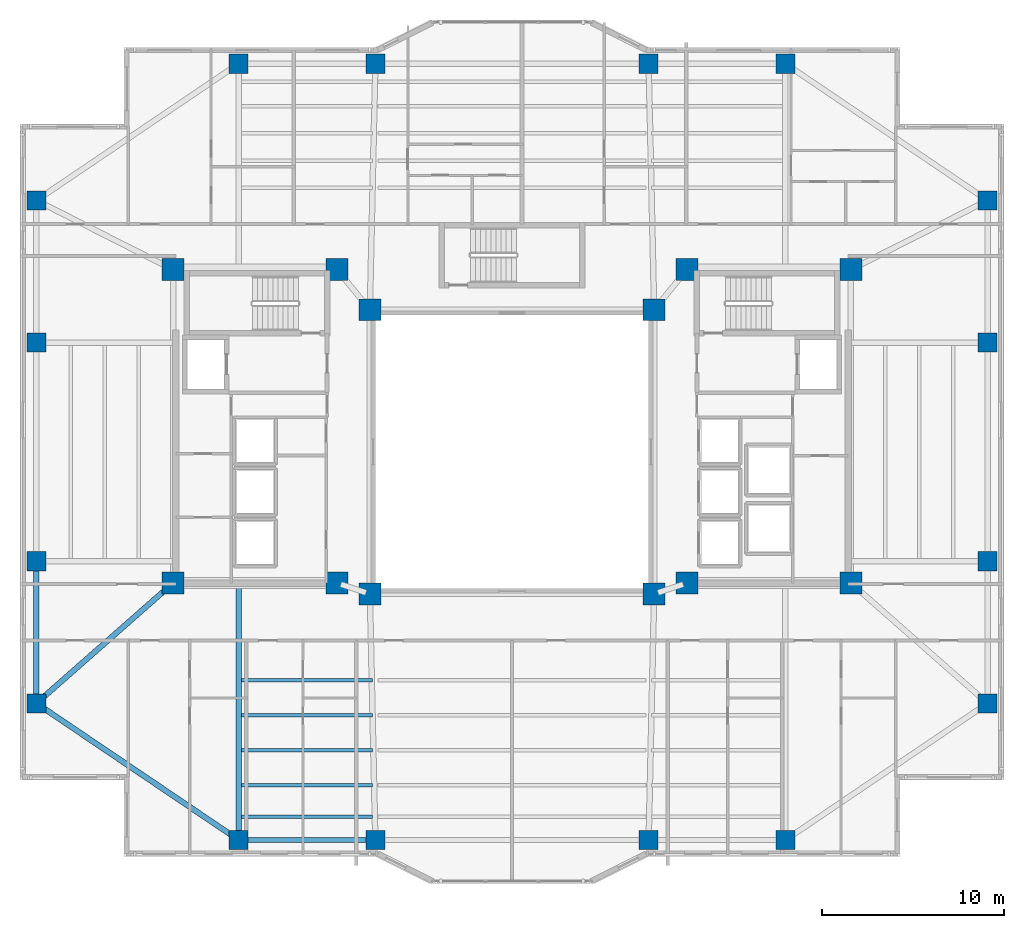
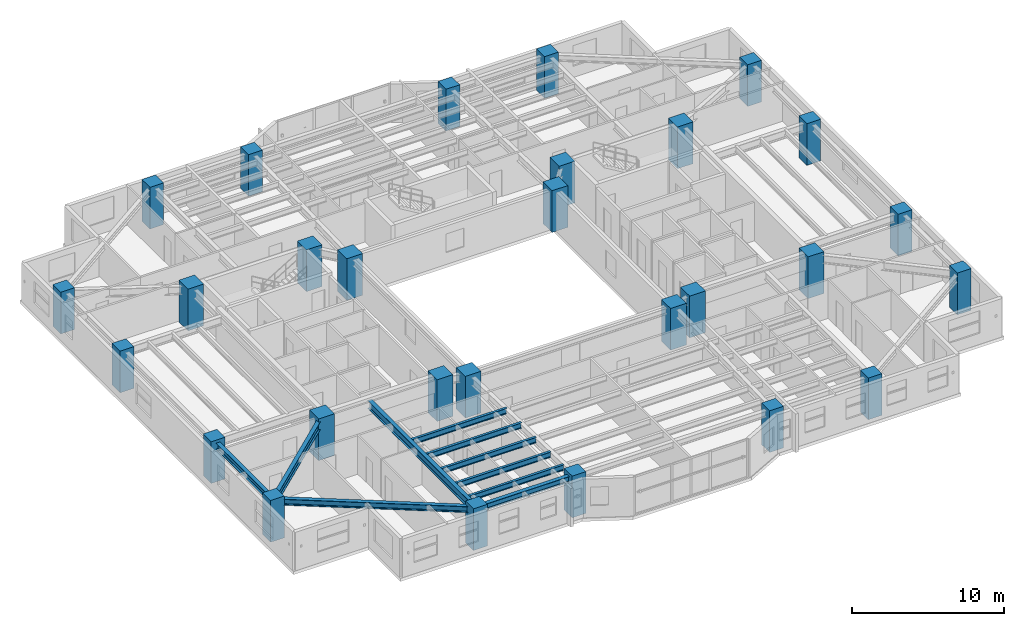
# One storey, part 1 of 18: 28 columns, 10 beams.
"""IFC4 building model written with IfcOpenShell, lengths in metres."""

from ifc_helpers import new_model, si_unit, direction, frame, origin, origin_2d, place, context, subcontext, project, spatial, rectangle, i_section, extrude, material, material_profile, profile_set, type_object, element, save


model = new_model("IFC4")

# Units and contexts
model_context = context("Model", 3, precision=1e-05, world=origin(), true_north=direction((0.0, 1.0)))
body_context = subcontext(model_context, "Body", "Model", "MODEL_VIEW")
ifc_project = project(units=[si_unit("LENGTHUNIT", "METRE"), si_unit("AREAUNIT", "SQUARE_METRE"), si_unit("VOLUMEUNIT", "CUBIC_METRE"), si_unit("PLANEANGLEUNIT", "RADIAN"), si_unit("MASSUNIT", "GRAM", prefix="KILO")], contexts=[model_context])

# Site, building, storey
site_placement = place(None, origin())
site = spatial("IfcSite", under=ifc_project, at=site_placement, CompositionType="ELEMENT")
building_placement = place(site_placement, origin())
building = spatial("IfcBuilding", under=site, at=building_placement, Name="Tarnavaz Court Tower", CompositionType="ELEMENT")
storey_placement = place(building_placement, frame((0.0, 0.0, 101.75)))
storey = spatial("IfcBuildingStorey", under=building, at=storey_placement, Name="L27", CompositionType="ELEMENT", Elevation=101.75)

# Columns
ifc_material_1 = material(Name="Concrete C60/75", Category="concrete")
ifc_material_profile_1 = material_profile(ifc_material_1, rectangle(XDim=1.050048828125, YDim=1.050048828125, at=origin_2d()), Name="RC 1050X1050")
ifc_profile_set_1 = profile_set([ifc_material_profile_1], Name="Concrete C60/75")
column_type_1 = type_object("IfcColumnType", Name="CL-RC1050", PredefinedType="COLUMN", material=ifc_profile_set_1)
for number, where, z_axis, x_axis, name in (
    (1, (-15.0, 21.300048828125, 0.0), (0.0, 0.0, 1.0), (1.0, 0.0, 0.0), "L27 Column PN-1"),
    (2, (-7.5, 21.300048828125, 0.0), (0.0, 0.0, 1.0), (1.0, 0.0, 0.0), "L27 Column PN-2"),
    (3, (7.5, 21.300048828125, 0.0), (0.0, 0.0, 1.0), (1.0, 0.0, 0.0), "L27 Column PN-3"),
    (4, (15.0, 21.300048828125, 0.0), (0.0, 0.0, 1.0), (1.0, 0.0, 0.0), "L27 Column PN-4"),
    (5, (-15.0, -21.300048828125, 0.0), (0.0, 0.0, 1.0), (1.0, 0.0, 0.0), "L27 Column PS-1"),
    (6, (-7.5, -21.300048828125, 0.0), (0.0, 0.0, 1.0), (1.0, 0.0, 0.0), "L27 Column PS-2"),
    (7, (7.5, -21.300048828125, 0.0), (0.0, 0.0, 1.0), (1.0, 0.0, 0.0), "L27 Column PS-3"),
    (8, (15.0, -21.300048828125, 0.0), (0.0, 0.0, 1.0), (1.0, 0.0, 0.0), "L27 Column PS-4"),
    (9, (26.10009765625, -13.800048828125, 0.0), (0.0, 0.0, 1.0), (1.0, 0.0, 0.0), "L27 Column PE-1"),
    (10, (26.10009765625, -6.0, 0.0), (0.0, 0.0, 1.0), (1.0, 0.0, 0.0), "L27 Column PE-2"),
    (11, (26.10009765625, 6.0, 0.0), (0.0, 0.0, 1.0), (1.0, 0.0, 0.0), "L27 Column PE-3"),
    (12, (26.10009765625, 13.800048828125, 0.0), (0.0, 0.0, 1.0), (1.0, 0.0, 0.0), "L27 Column PE-4"),
    (13, (-26.10009765625, -13.800048828125, 0.0), (0.0, 0.0, 1.0), (1.0, 0.0, 0.0), "L27 Column PW-1"),
    (14, (-26.10009765625, -6.0, 0.0), (0.0, 0.0, 1.0), (1.0, 0.0, 0.0), "L27 Column PW-2"),
    (15, (-26.10009765625, 6.0, 0.0), (0.0, 0.0, 1.0), (1.0, 0.0, 0.0), "L27 Column PW-3"),
    (16, (-26.10009765625, 13.800048828125, 0.0), (0.0, 0.0, 1.0), (1.0, 0.0, 0.0), "L27 Column PW-4"),
):
    element("IfcColumn", number, at=place(storey_placement, frame(where, z_axis=z_axis, x_axis=x_axis)), inside=storey, type_object=column_type_1, Name=name, PredefinedType="COLUMN", context=body_context, shape_type="SweptSolid", body=[
        extrude(rectangle(XDim=1.050048828125, YDim=1.050048828125, at=origin_2d()), origin(), (0.0, 0.0, 1.0), 3.35009765625),
    ])
ifc_material_profile_2 = material_profile(ifc_material_1, rectangle(XDim=1.199951171875, YDim=1.199951171875, at=origin_2d()), Name="RC 1200X1200")
ifc_profile_set_2 = profile_set([ifc_material_profile_2], Name="Concrete C60/75")
column_type_2 = type_object("IfcColumnType", Name="CL-RC1200", PredefinedType="COLUMN", material=ifc_profile_set_2)
for number, where, z_axis, x_axis, name in (
    (17, (-7.800048828125, -7.800048828125, 0.0), (0.0, 0.0, 1.0), (1.0, 0.0, 0.0), "L27 Column IW-SW"),
    (18, (7.800048828125, -7.800048828125, 0.0), (0.0, 0.0, 1.0), (1.0, 0.0, 0.0), "L27 Column IW-SE"),
    (19, (-7.800048828125, 7.800048828125, 0.0), (0.0, 0.0, 1.0), (1.0, 0.0, 0.0), "L27 Column IW-NW"),
    (20, (7.800048828125, 7.800048828125, 0.0), (0.0, 0.0, 1.0), (1.0, 0.0, 0.0), "L27 Column IW-NE"),
    (21, (-9.60009765625, -7.199951171875, 0.0), (0.0, 0.0, 1.0), (1.0, 0.0, 0.0), "L27 Column CW-SI"),
    (22, (-9.60009765625, 10.0, 0.0), (0.0, 0.0, 1.0), (1.0, 0.0, 0.0), "L27 Column CW-NI"),
    (23, (9.60009765625, -7.199951171875, 0.0), (0.0, 0.0, 1.0), (1.0, 0.0, 0.0), "L27 Column CE-SI"),
    (24, (9.60009765625, 10.0, 0.0), (0.0, 0.0, 1.0), (1.0, 0.0, 0.0), "L27 Column CE-NI"),
    (25, (-18.60009765625, -7.199951171875, 0.0), (0.0, 0.0, 1.0), (1.0, 0.0, 0.0), "L27 Column CW-SO"),
    (26, (-18.60009765625, 10.0, 0.0), (0.0, 0.0, 1.0), (1.0, 0.0, 0.0), "L27 Column CW-NO"),
    (27, (18.60009765625, -7.199951171875, 0.0), (0.0, 0.0, 1.0), (1.0, 0.0, 0.0), "L27 Column CE-SO"),
    (28, (18.60009765625, 10.0, 0.0), (0.0, 0.0, 1.0), (1.0, 0.0, 0.0), "L27 Column CE-NO"),
):
    element("IfcColumn", number, at=place(storey_placement, frame(where, z_axis=z_axis, x_axis=x_axis)), inside=storey, type_object=column_type_2, Name=name, PredefinedType="COLUMN", context=body_context, shape_type="SweptSolid", body=[
        extrude(rectangle(XDim=1.199951171875, YDim=1.199951171875, at=origin_2d()), origin(), (0.0, 0.0, 1.0), 3.35009765625),
    ])

# Beams
ifc_material_2 = material(Name="Steel S355", Category="steel")
ifc_material_profile_3 = material_profile(ifc_material_2, i_section(OverallWidth=0.300048828125, OverallDepth=0.64990234375, WebThickness=0.01611328125, FlangeThickness=0.031005859375, FilletRadius=0.027099609375, at=origin_2d()), Name="HEB 650")
ifc_profile_set_3 = profile_set([ifc_material_profile_3], Name="Steel S355")
beam_type_1 = type_object("IfcBeamType", Name="BM-G-HEB650", PredefinedType="USERDEFINED", material=ifc_profile_set_3)
beam_1_placement = place(storey_placement, frame((-15.0, -7.239990234375, 2.77490234375), z_axis=(0.0, -1.0, 0.0), x_axis=(1.0, 0.0, 0.0)))
element("IfcBeam", 29, at=beam_1_placement, inside=storey, type_object=beam_type_1, Name="L27 Beam RG-05", ObjectType="GIRDER", PredefinedType="USERDEFINED", context=body_context, shape_type="SweptSolid", body=[
    extrude(i_section(OverallWidth=0.300048828125, OverallDepth=0.64990234375, WebThickness=0.01611328125, FlangeThickness=0.031005859375, FilletRadius=0.027099609375, at=origin_2d()), origin(), (0.0, 0.0, 1.0), 13.840087890625),
])
beam_2_placement = place(storey_placement, frame((-18.76513671875, -7.34521484375, 2.77490234375), z_axis=(-0.750700332035, -0.660642877417, 0.0), x_axis=(0.660642877417, -0.750700332035, 0.0)))
element("IfcBeam", 30, at=beam_2_placement, inside=storey, type_object=beam_type_1, Name="L27 Beam RG-15", ObjectType="GIRDER", PredefinedType="USERDEFINED", context=body_context, shape_type="SweptSolid", body=[
    extrude(i_section(OverallWidth=0.300048828125, OverallDepth=0.64990234375, WebThickness=0.01611328125, FlangeThickness=0.031005859375, FilletRadius=0.027099609375, at=origin_2d()), origin(), (0.0, 0.0, 1.0), 9.550537109375),
])
ifc_material_profile_4 = material_profile(ifc_material_2, i_section(OverallWidth=0.18994140625, OverallDepth=0.449951171875, WebThickness=0.009521484375, FlangeThickness=0.0146484375, FilletRadius=0.02099609375, at=origin_2d()), Name="IPE 450")
ifc_profile_set_4 = profile_set([ifc_material_profile_4], Name="Steel S355")
beam_type_2 = type_object("IfcBeamType", Name="BM-J-IPE450", PredefinedType="JOIST", material=ifc_profile_set_4)
for number, where, z_axis, x_axis, name in (
    (31, (-14.85009765625, -12.52587890625, 2.875), (1.0, 0.0, 0.0), (0.0, 1.0, 0.0), "L27 Beam JS1-1"),
    (32, (-14.85009765625, -14.451904296875, 2.875), (1.0, 0.0, 0.0), (0.0, 1.0, 0.0), "L27 Beam JS2-1"),
    (33, (-14.85009765625, -16.3779296875, 2.875), (1.0, 0.0, 0.0), (0.0, 1.0, 0.0), "L27 Beam JS3-1"),
    (34, (-14.85009765625, -18.303955078125, 2.875), (1.0, 0.0, 0.0), (0.0, 1.0, 0.0), "L27 Beam JS4-1"),
    (35, (-14.85009765625, -20.01611328125, 2.875), (1.0, 0.0, 0.0), (0.0, 1.0, 0.0), "L27 Beam JS5-1"),
):
    element("IfcBeam", number, at=place(storey_placement, frame(where, z_axis=z_axis, x_axis=x_axis)), inside=storey, type_object=beam_type_2, Name=name, PredefinedType="JOIST", context=body_context, shape_type="SweptSolid", body=[
        extrude(i_section(OverallWidth=0.18994140625, OverallDepth=0.449951171875, WebThickness=0.009521484375, FlangeThickness=0.0146484375, FilletRadius=0.02099609375, at=origin_2d()), origin(), (0.0, 0.0, 1.0), 7.2001953125),
    ])
ifc_material_profile_5 = material_profile(ifc_material_2, i_section(OverallWidth=0.300048828125, OverallDepth=0.489990234375, WebThickness=0.011962890625, FlangeThickness=0.02294921875, FilletRadius=0.027099609375, at=origin_2d()), Name="HEA 500")
ifc_profile_set_5 = profile_set([ifc_material_profile_5], Name="Steel S355")
beam_type_3 = type_object("IfcBeamType", Name="BM-SP-HEA500", PredefinedType="SPANDREL", material=ifc_profile_set_5)
beam_3_placement = place(storey_placement, frame((-14.780029296875, -21.300048828125, 2.85498046875), z_axis=(1.0, 0.0, 0.0), x_axis=(0.0, 1.0, 0.0)))
element("IfcBeam", 36, at=beam_3_placement, inside=storey, type_object=beam_type_3, Name="L27 Beam PR-PS-1-PS-2", PredefinedType="SPANDREL", context=body_context, shape_type="SweptSolid", body=[
    extrude(i_section(OverallWidth=0.300048828125, OverallDepth=0.489990234375, WebThickness=0.011962890625, FlangeThickness=0.02294921875, FilletRadius=0.027099609375, at=origin_2d()), origin(), (0.0, 0.0, 1.0), 7.06005859375),
])
beam_4_placement = place(storey_placement, frame((-26.10009765625, -13.580078125, 2.85498046875), z_axis=(0.0, 1.0, 0.0), x_axis=(-1.0, 0.0, 0.0)))
element("IfcBeam", 37, at=beam_4_placement, inside=storey, type_object=beam_type_3, Name="L27 Beam PR-PW-1-PW-2", PredefinedType="SPANDREL", context=body_context, shape_type="SweptSolid", body=[
    extrude(i_section(OverallWidth=0.300048828125, OverallDepth=0.489990234375, WebThickness=0.011962890625, FlangeThickness=0.02294921875, FilletRadius=0.027099609375, at=origin_2d()), origin(), (0.0, 0.0, 1.0), 7.360107421875),
])
beam_5_placement = place(storey_placement, frame((-15.182373046875, -21.1767578125, 2.85498046875), z_axis=(-0.828587314918, 0.559859858854, 0.0), x_axis=(-0.559859858854, -0.828587314918, 0.0)))
element("IfcBeam", 38, at=beam_5_placement, inside=storey, type_object=beam_type_3, Name="L27 Beam PR-PS-1-PW-1", PredefinedType="SPANDREL", context=body_context, shape_type="SweptSolid", body=[
    extrude(i_section(OverallWidth=0.300048828125, OverallDepth=0.489990234375, WebThickness=0.011962890625, FlangeThickness=0.02294921875, FilletRadius=0.027099609375, at=origin_2d()), origin(), (0.0, 0.0, 1.0), 12.956298828125),
])

save(model, "model.ifc")
